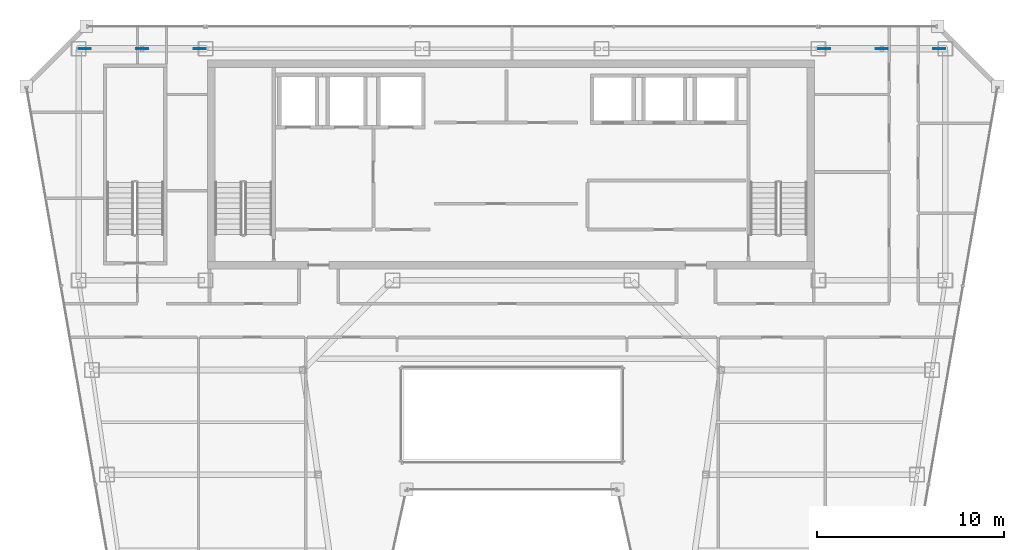
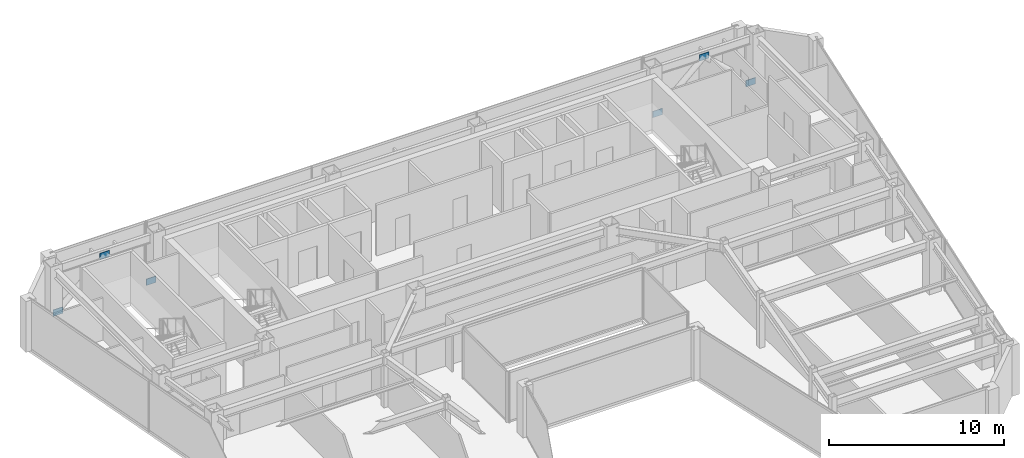
# One storey, part 25 of 32: 6 plates.
"""IFC4 building model written with IfcOpenShell, lengths in metres."""

from ifc_helpers import new_model, si_unit, direction, frame, origin, origin_2d, place, context, subcontext, project, spatial, rectangle, extrude, material, layer, layer_set, type_object, element, save


model = new_model("IFC4")

# Units and contexts
model_context = context("Model", 3, precision=1e-05, world=origin(), true_north=direction((0.0, 1.0)))
body_context = subcontext(model_context, "Body", "Model", "MODEL_VIEW")
ifc_project = project(units=[si_unit("LENGTHUNIT", "METRE"), si_unit("AREAUNIT", "SQUARE_METRE"), si_unit("VOLUMEUNIT", "CUBIC_METRE"), si_unit("PLANEANGLEUNIT", "RADIAN"), si_unit("MASSUNIT", "GRAM", prefix="KILO")], contexts=[model_context])

# Site, building, storey
site_placement = place(None, origin())
site = spatial("IfcSite", under=ifc_project, at=site_placement, CompositionType="ELEMENT")
building_placement = place(site_placement, origin())
building = spatial("IfcBuilding", under=site, at=building_placement, Name="Saevonmaru Cultural Tower", CompositionType="ELEMENT")
storey_placement = place(building_placement, frame((0.0, 0.0, 242.0)))
storey = spatial("IfcBuildingStorey", under=building, at=storey_placement, Name="L56", CompositionType="ELEMENT", Elevation=242.0)

# Plates
ifc_material = material(Name="Steel HSA600 (600 MPa)", Category="steel")
ifc_layer = layer(ifc_material, 0.0400390625, Name="Steel HSA600 (600 MPa)")
ifc_layer_set = layer_set([ifc_layer], Name="Steel HSA600 (600 MPa)")
plate_type = type_object("IfcPlateType", Name="PL-GUSSET-EXT", PredefinedType="USERDEFINED", material=ifc_layer_set)
for number, where, z_axis, x_axis, name in (
    (1, (10.199951171875, 54.800048828125, 2.900146484375), (0.0, 0.0, 1.0), (1.0, 0.0, 0.0), "L56 Perimeter Tube Gusset Plate"),
    (2, (7.1201171875, 54.800048828125, 0.02001953125), (0.0, 0.0, 1.0), (1.0, 0.0, 0.0), "L56 Perimeter Tube Gusset Plate"),
    (3, (13.280029296875, 54.800048828125, 0.02001953125), (0.0, 0.0, 1.0), (1.0, 0.0, 0.0), "L56 Perimeter Tube Gusset Plate"),
    (4, (49.800048828125, 54.800048828125, 2.900146484375), (0.0, 0.0, 1.0), (1.0, 0.0, 0.0), "L56 Perimeter Tube Gusset Plate"),
    (5, (46.719970703125, 54.800048828125, 0.02001953125), (0.0, 0.0, 1.0), (1.0, 0.0, 0.0), "L56 Perimeter Tube Gusset Plate"),
    (6, (52.8798828125, 54.800048828125, 0.02001953125), (0.0, 0.0, 1.0), (1.0, 0.0, 0.0), "L56 Perimeter Tube Gusset Plate"),
):
    element("IfcPlate", number, at=place(storey_placement, frame(where, z_axis=z_axis, x_axis=x_axis)), inside=storey, type_object=plate_type, Name=name, ObjectType="GUSSET_PLATE", PredefinedType="USERDEFINED", context=body_context, shape_type="SweptSolid", body=[
        extrude(rectangle(XDim=0.639892578125, YDim=0.0400390625, at=origin_2d()), origin(), (0.0, 0.0, 1.0), 0.43994140625),
    ])

save(model, "model.ifc")
